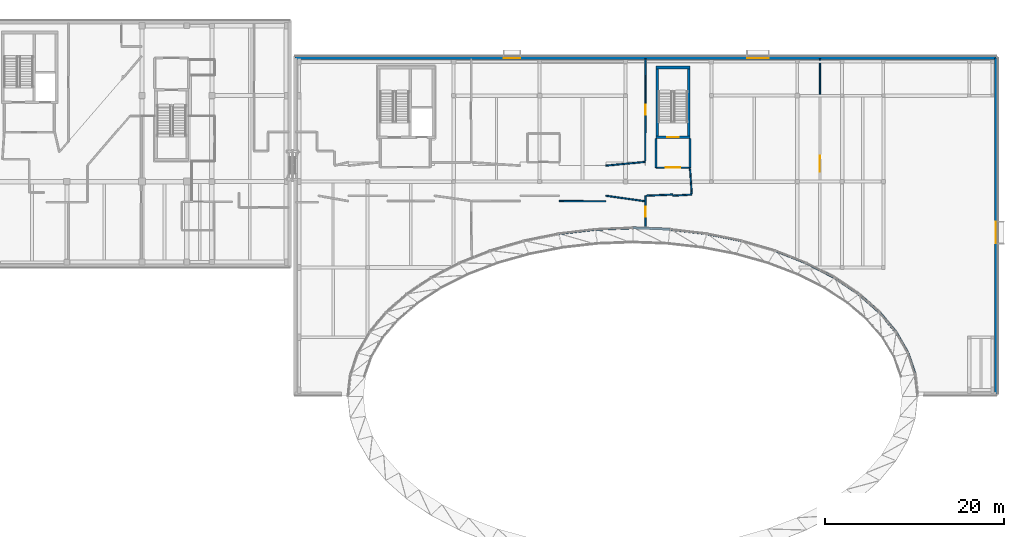
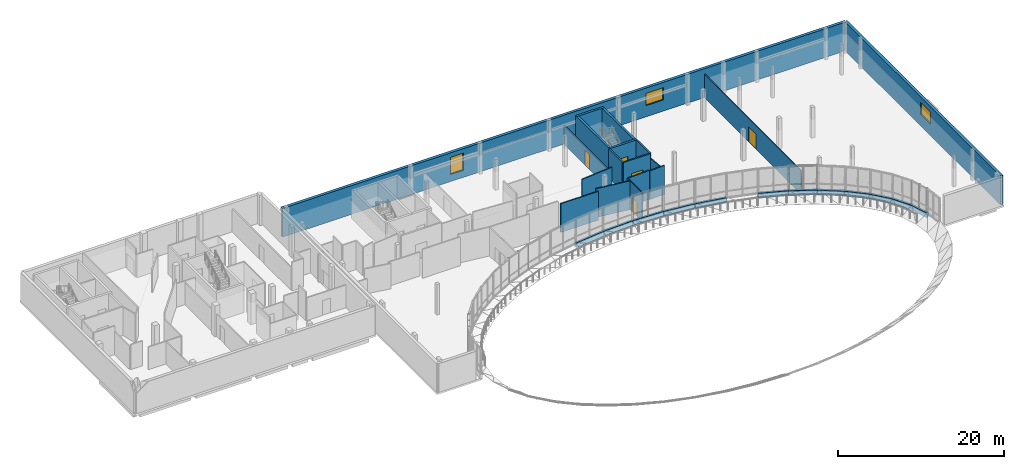
# One storey, part 28 of 41: 30 walls, 5 doors, 3 windows, 8 openings.
"""IFC4 building model written with IfcOpenShell, lengths in metres."""

from ifc_helpers import new_model, si_unit, direction, frame, frame_2d, origin, place, context, subcontext, project, spatial, rectangle, extrude, material, layer, layer_set, type_object, element, fill, save


model = new_model("IFC4")

# Units and contexts
model_context = context("Model", 3, precision=1e-05, world=origin(), true_north=direction((0.0, 1.0)))
body_context = subcontext(model_context, "Body", "Model", "MODEL_VIEW")
ifc_project = project(units=[si_unit("LENGTHUNIT", "METRE"), si_unit("AREAUNIT", "SQUARE_METRE"), si_unit("VOLUMEUNIT", "CUBIC_METRE"), si_unit("PLANEANGLEUNIT", "RADIAN"), si_unit("MASSUNIT", "GRAM", prefix="KILO")], contexts=[model_context])

# Site, building, storey
site_placement = place(None, origin())
site = spatial("IfcSite", under=ifc_project, at=site_placement, CompositionType="ELEMENT")
building_placement = place(site_placement, origin())
building = spatial("IfcBuilding", under=site, at=building_placement, Name="Mzevani Central Library", CompositionType="ELEMENT")
storey_placement = place(building_placement, frame((0.0, 0.0, 13.800048828125)))
storey = spatial("IfcBuildingStorey", under=building, at=storey_placement, Name="L03", CompositionType="ELEMENT", Elevation=13.800048828125)

# Wall
ifc_material_1 = material(Name="Concrete C35/45", Category="concrete")
ifc_layer_1 = layer(ifc_material_1, 0.199951171875, Name="Compartment Wall 200")
ifc_layer_set_1 = layer_set([ifc_layer_1], Name="Concrete C35/45")
wall_type_1 = type_object("IfcWallType", Name="Compartment Wall 200", PredefinedType="STANDARD", material=ifc_layer_set_1)
wall_1_placement = place(storey_placement, frame((86.60009765625, 104.800048828125, 0.0), z_axis=(0.0, 0.0, 1.0), x_axis=(0.0, -1.0, 0.0)))
element("IfcWall", 1, at=wall_1_placement, inside=storey, type_object=wall_type_1, Name="L03 Stair Vestibule C3B Enclosure Wall 1", PredefinedType="STANDARD", context=body_context, shape_type="SweptSolid", body=[
    extrude(rectangle(XDim=3.25, YDim=0.199951171875, at=frame_2d((1.625, 0.0))), origin(), (0.0, 0.0, 1.0), 4.219970703125),
])

# Wall, opening, door
wall_2_placement = place(storey_placement, frame((86.60009765625, 101.550048828125, 0.0), z_axis=(0.0, 0.0, 1.0), x_axis=(1.0, 0.0, 0.0)))
wall_2 = element("IfcWall", 2, at=wall_2_placement, inside=storey, type_object=wall_type_1, Name="L03 Stair Vestibule C3B Enclosure Wall 2", PredefinedType="STANDARD", context=body_context, shape_type="SweptSolid", body=[
    extrude(rectangle(XDim=3.7998046875, YDim=0.199951171875, at=frame_2d((1.89990234375, 0.0))), origin(), (0.0, 0.0, 1.0), 4.219970703125),
])
opening_1_placement = place(wall_2_placement, frame((1.10009765625, 0.0, 0.0)))
opening_1 = element("IfcOpeningElement", 3, at=opening_1_placement, cuts=wall_2, Name="Opening FD-02", PredefinedType="OPENING", context=body_context, shape_type="SweptSolid", body=[
    extrude(rectangle(XDim=1.60009765625, YDim=2.199951171875, at=frame_2d((0.800048828125, 1.10009765625))), frame((0.0, 0.10986328125, 0.0), z_axis=(0.0, -1.0, 0.0), x_axis=(1.0, 0.0, 0.0)), (0.0, 0.0, 1.0), 0.219970703125),
])
ifc_material_2 = material(Name="Fire-rated steel door assembly", Category="steel")
door_type_1 = type_object("IfcDoorType", Name="Fire Lobby Double Door 1600x2200", OperationType="NOTDEFINED", PredefinedType="DOOR", material=ifc_material_2)
door_1_placement = place(opening_1_placement, origin())
door_1 = element("IfcDoor", 4, at=door_1_placement, inside=storey, type_object=door_type_1, Name="L03 Stair Vestibule C3B Smoke-Control Door", OperationType="DOUBLE_DOOR_SINGLE_SWING", OverallHeight=2.199951171875, OverallWidth=1.60009765625, PredefinedType="DOOR", context=body_context, shape_type="SweptSolid", body=[
    extrude(rectangle(XDim=1.60009765625, YDim=2.199951171875, at=frame_2d((0.800048828125, 1.10009765625))), frame((0.0, 0.02490234375, 0.0), z_axis=(0.0, -1.0, 0.0), x_axis=(1.0, 0.0, 0.0)), (0.0, 0.0, 1.0), 0.050048828125),
])
fill(opening_1, door_1)

# Wall
wall_3_placement = place(storey_placement, frame((90.39990234375, 101.550048828125, 0.0), z_axis=(0.0, 0.0, 1.0), x_axis=(0.0, 1.0, 0.0)))
element("IfcWall", 5, at=wall_3_placement, inside=storey, type_object=wall_type_1, Name="L03 Stair Vestibule C3B Enclosure Wall 3", PredefinedType="STANDARD", context=body_context, shape_type="SweptSolid", body=[
    extrude(rectangle(XDim=3.25, YDim=0.199951171875, at=frame_2d((1.625, 0.0))), origin(), (0.0, 0.0, 1.0), 4.219970703125),
])

# Wall, opening, door
ifc_material_3 = material(Name="Concrete C40/50", Category="concrete")
ifc_layer_2 = layer(ifc_material_3, 0.300048828125, Name="Core Shear Wall 300")
ifc_layer_set_2 = layer_set([ifc_layer_2], Name="Concrete C40/50")
wall_type_2 = type_object("IfcWallType", Name="Core Shear Wall 300", PredefinedType="SHEAR", material=ifc_layer_set_2)
wall_4_placement = place(storey_placement, frame((90.39990234375, 104.949951171875, 0.0), z_axis=(0.0, 0.0, 1.0), x_axis=(-1.0, 0.0, 0.0)))
wall_4 = element("IfcWall", 6, at=wall_4_placement, inside=storey, type_object=wall_type_2, Name="L03 Core C3B Atrium East Escape Stair Shear Wall (-y)", PredefinedType="SHEAR", context=body_context, shape_type="SweptSolid", body=[
    extrude(rectangle(XDim=3.7998046875, YDim=0.300048828125, at=frame_2d((1.89990234375, 0.0))), origin(), (0.0, 0.0, 1.0), 4.219970703125),
])
opening_2_placement = place(wall_4_placement, frame((1.25, 0.0, 0.0)))
opening_2 = element("IfcOpeningElement", 7, at=opening_2_placement, cuts=wall_4, Name="Opening FD-01", PredefinedType="OPENING", context=body_context, shape_type="SweptSolid", body=[
    extrude(rectangle(XDim=1.300048828125, YDim=2.199951171875, at=frame_2d((0.64990234375, 1.10009765625))), frame((0.0, 0.16015625, 0.0), z_axis=(0.0, -1.0, 0.0), x_axis=(1.0, 0.0, 0.0)), (0.0, 0.0, 1.0), 0.320068359375),
])
door_type_2 = type_object("IfcDoorType", Name="Fire Stair Door 1300x2200", OperationType="NOTDEFINED", PredefinedType="DOOR", material=ifc_material_2)
door_2_placement = place(opening_2_placement, origin())
door_2 = element("IfcDoor", 8, at=door_2_placement, inside=storey, type_object=door_type_2, Name="L03 ST-06 Protected Exit Stair Door", OperationType="SINGLE_SWING_RIGHT", OverallHeight=2.199951171875, OverallWidth=1.300048828125, PredefinedType="DOOR", context=body_context, shape_type="SweptSolid", body=[
    extrude(rectangle(XDim=1.300048828125, YDim=2.199951171875, at=frame_2d((0.64990234375, 1.10009765625))), frame((0.0, 0.02490234375, 0.0), z_axis=(0.0, -1.0, 0.0), x_axis=(1.0, 0.0, 0.0)), (0.0, 0.0, 1.0), 0.050048828125),
])
fill(opening_2, door_2)

# Walls
wall_5_placement = place(storey_placement, frame((86.75, 104.800048828125, 0.0), z_axis=(0.0, 0.0, 1.0), x_axis=(0.0, 1.0, 0.0)))
element("IfcWall", 9, at=wall_5_placement, inside=storey, type_object=wall_type_2, Name="L03 Core C3B Atrium East Escape Stair Shear Wall (-x)", PredefinedType="SHEAR", context=body_context, shape_type="SweptSolid", body=[
    extrude(rectangle(XDim=8.099853515625, YDim=0.300048828125, at=frame_2d((4.0498046875, 0.0))), origin(), (0.0, 0.0, 1.0), 4.219970703125),
])
wall_6_placement = place(storey_placement, frame((86.60009765625, 112.75, 0.0), z_axis=(0.0, 0.0, 1.0), x_axis=(1.0, 0.0, 0.0)))
element("IfcWall", 10, at=wall_6_placement, inside=storey, type_object=wall_type_2, Name="L03 Core C3B Atrium East Escape Stair Shear Wall (+y)", PredefinedType="SHEAR", context=body_context, shape_type="SweptSolid", body=[
    extrude(rectangle(XDim=3.7998046875, YDim=0.300048828125, at=frame_2d((1.89990234375, 0.0))), origin(), (0.0, 0.0, 1.0), 4.219970703125),
])
wall_7_placement = place(storey_placement, frame((90.25, 112.89990234375, 0.0), z_axis=(0.0, 0.0, 1.0), x_axis=(0.0, -1.0, 0.0)))
element("IfcWall", 11, at=wall_7_placement, inside=storey, type_object=wall_type_2, Name="L03 Core C3B Atrium East Escape Stair Shear Wall (+x)", PredefinedType="SHEAR", context=body_context, shape_type="SweptSolid", body=[
    extrude(rectangle(XDim=8.099853515625, YDim=0.300048828125, at=frame_2d((4.0498046875, 0.0))), origin(), (0.0, 0.0, 1.0), 4.219970703125),
])
ifc_material_4 = material(Name="Precast concrete C40/50", Category="concrete")
ifc_layer_3 = layer(ifc_material_4, 0.280029296875, Name="Court Spandrel Wall 280")
ifc_layer_set_3 = layer_set([ifc_layer_3], Name="Precast concrete C40/50")
wall_type_3 = type_object("IfcWallType", Name="Court Spandrel Wall 280", PredefinedType="STANDARD", material=ifc_layer_set_3)
wall_8_placement = place(storey_placement, frame((115.548095703125, 78.455078125, 0.0), z_axis=(0.0, 0.0, 1.0), x_axis=(-0.319974314627, 0.947426217697, 0.0)))
element("IfcWall", 12, at=wall_8_placement, inside=storey, type_object=wall_type_3, Name="L03 Elliptical Court Spandrel 2", PredefinedType="STANDARD", context=body_context, shape_type="SweptSolid", body=[
    extrude(rectangle(XDim=2.520263671875, YDim=0.280029296875, at=frame_2d((1.26025390625, 0.0))), origin(), (0.0, 0.0, 1.0), 0.719970703125),
])
wall_9_placement = place(storey_placement, frame((114.739013671875, 80.8603515625, 0.0), z_axis=(0.0, 0.0, 1.0), x_axis=(-0.499317302735, 0.866419200612, 0.0)))
element("IfcWall", 13, at=wall_9_placement, inside=storey, type_object=wall_type_3, Name="L03 Elliptical Court Spandrel 3", PredefinedType="STANDARD", context=body_context, shape_type="SweptSolid", body=[
    extrude(rectangle(XDim=2.660888671875, YDim=0.280029296875, at=frame_2d((1.33056640625, 0.0))), origin(), (0.0, 0.0, 1.0), 0.719970703125),
])
wall_10_placement = place(storey_placement, frame((113.406005859375, 83.18408203125, 0.0), z_axis=(0.0, 0.0, 1.0), x_axis=(-0.64202925069, 0.766680142732, 0.0)))
element("IfcWall", 14, at=wall_10_placement, inside=storey, type_object=wall_type_3, Name="L03 Elliptical Court Spandrel 4", PredefinedType="STANDARD", context=body_context, shape_type="SweptSolid", body=[
    extrude(rectangle(XDim=2.847900390625, YDim=0.280029296875, at=frame_2d((1.423828125, 0.0))), origin(), (0.0, 0.0, 1.0), 0.719970703125),
])
wall_11_placement = place(storey_placement, frame((111.571044921875, 85.38671875, 0.0), z_axis=(0.0, 0.0, 1.0), x_axis=(-0.750170588014, 0.661244348844, 0.0)))
element("IfcWall", 15, at=wall_11_placement, inside=storey, type_object=wall_type_3, Name="L03 Elliptical Court Spandrel 5", PredefinedType="STANDARD", context=body_context, shape_type="SweptSolid", body=[
    extrude(rectangle(XDim=3.06103515625, YDim=0.280029296875, at=frame_2d((1.530517578125, 0.0))), origin(), (0.0, 0.0, 1.0), 0.719970703125),
])
wall_12_placement = place(storey_placement, frame((109.265380859375, 87.431396484375, 0.0), z_axis=(0.0, 0.0, 1.0), x_axis=(-0.830123280887, 0.557579894302, 0.0)))
element("IfcWall", 16, at=wall_12_placement, inside=storey, type_object=wall_type_3, Name="L03 Elliptical Court Spandrel 6", PredefinedType="STANDARD", context=body_context, shape_type="SweptSolid", body=[
    extrude(rectangle(XDim=3.282958984375, YDim=0.280029296875, at=frame_2d((1.6416015625, 0.0))), origin(), (0.0, 0.0, 1.0), 0.719970703125),
])
wall_13_placement = place(storey_placement, frame((106.527099609375, 89.283447265625, 0.0), z_axis=(0.0, 0.0, 1.0), x_axis=(-0.888444407434, 0.458984242539, 0.0)))
element("IfcWall", 17, at=wall_13_placement, inside=storey, type_object=wall_type_3, Name="L03 Elliptical Court Spandrel 7", PredefinedType="STANDARD", context=body_context, shape_type="SweptSolid", body=[
    extrude(rectangle(XDim=3.497802734375, YDim=0.280029296875, at=frame_2d((1.7490234375, 0.0))), origin(), (0.0, 0.0, 1.0), 0.719970703125),
])
wall_14_placement = place(storey_placement, frame((103.40185546875, 90.91162109375, 0.0), z_axis=(0.0, 0.0, 1.0), x_axis=(-0.930531980871, 0.366210639627, 0.0)))
element("IfcWall", 18, at=wall_14_placement, inside=storey, type_object=wall_type_3, Name="L03 Elliptical Court Spandrel 8", PredefinedType="STANDARD", context=body_context, shape_type="SweptSolid", body=[
    extrude(rectangle(XDim=3.693359375, YDim=0.280029296875, at=frame_2d((1.8466796875, 0.0))), origin(), (0.0, 0.0, 1.0), 0.719970703125),
])
wall_15_placement = place(storey_placement, frame((96.20263671875, 93.385986328125, 0.0), z_axis=(0.0, 0.0, 1.0), x_axis=(-0.980585380352, 0.196092610367, 0.0)))
element("IfcWall", 19, at=wall_15_placement, inside=storey, type_object=wall_type_3, Name="L03 Elliptical Court Spandrel 10", PredefinedType="STANDARD", context=body_context, shape_type="SweptSolid", body=[
    extrude(rectangle(XDim=3.991455078125, YDim=0.280029296875, at=frame_2d((1.99560546875, 0.0))), origin(), (0.0, 0.0, 1.0), 0.719970703125),
])
wall_16_placement = place(storey_placement, frame((92.2490234375, 94.1865234375, 0.0), z_axis=(0.0, 0.0, 1.0), x_axis=(-0.993202765218, 0.116397023855, 0.0)))
element("IfcWall", 20, at=wall_16_placement, inside=storey, type_object=wall_type_3, Name="L03 Elliptical Court Spandrel 11", PredefinedType="STANDARD", context=body_context, shape_type="SweptSolid", body=[
    extrude(rectangle(XDim=4.081787109375, YDim=0.280029296875, at=frame_2d((2.041015625, 0.0))), origin(), (0.0, 0.0, 1.0), 0.719970703125),
])
for number, where, z_axis, x_axis, name in (
    (21, (88.14892578125, 94.671630859375, 0.0), (0.0, 0.0, 1.0), (-0.999253817463, 0.038623934107, 0.0), "L03 Elliptical Court Spandrel 12"),
    (22, (83.9755859375, 94.8310546875, 0.0), (0.0, 0.0, 1.0), (-0.999253817463, -0.038623934107, 0.0), "L03 Elliptical Court Spandrel 13"),
):
    element("IfcWall", number, at=place(storey_placement, frame(where, z_axis=z_axis, x_axis=x_axis)), inside=storey, type_object=wall_type_3, Name=name, PredefinedType="STANDARD", context=body_context, shape_type="SweptSolid", body=[
        extrude(rectangle(XDim=4.127685546875, YDim=0.280029296875, at=frame_2d((2.06396484375, 0.0))), origin(), (0.0, 0.0, 1.0), 0.719970703125),
    ])
wall_17_placement = place(storey_placement, frame((79.804931640625, 94.66162109375, 0.0), z_axis=(0.0, 0.0, 1.0), x_axis=(-0.993202765218, -0.116397023855, 0.0)))
element("IfcWall", 23, at=wall_17_placement, inside=storey, type_object=wall_type_3, Name="L03 Elliptical Court Spandrel 14", PredefinedType="STANDARD", context=body_context, shape_type="SweptSolid", body=[
    extrude(rectangle(XDim=4.081787109375, YDim=0.280029296875, at=frame_2d((2.041015625, 0.0))), origin(), (0.0, 0.0, 1.0), 0.719970703125),
])

# Wall, openings, windows
ifc_layer_4 = layer(ifc_material_4, 0.3798828125, Name="Exterior Thermal Concrete Wall 380")
ifc_layer_set_4 = layer_set([ifc_layer_4], Name="Precast concrete C40/50")
wall_type_4 = type_object("IfcWallType", Name="Exterior Thermal Concrete Wall 380", PredefinedType="STANDARD", material=ifc_layer_set_4)
wall_18_placement = place(storey_placement, frame((46.2900390625, 113.81005859375, 0.0), z_axis=(0.0, 0.0, 1.0), x_axis=(1.0, 0.0, 0.0)))
wall_18 = element("IfcWall", 24, at=wall_18_placement, inside=storey, type_object=wall_type_4, Name="L03 V3 Exterior Thermal Wall (64)", PredefinedType="STANDARD", context=body_context, shape_type="SweptSolid", body=[
    extrude(rectangle(XDim=78.320068359375, YDim=0.3798828125, at=frame_2d((39.16015625, 0.0))), origin(), (0.0, 0.0, 1.0), 4.219970703125),
])
opening_3_placement = place(wall_18_placement, frame((23.328857421875, 0.0, 1.050048828125)))
opening_3 = element("IfcOpeningElement", 25, at=opening_3_placement, cuts=wall_18, Name="Opening W-15", PredefinedType="OPENING", context=body_context, shape_type="SweptSolid", body=[
    extrude(rectangle(XDim=1.800048828125, YDim=2.5, at=frame_2d((0.89990234375, 1.25))), frame((0.0, 0.199951171875, 0.0), z_axis=(0.0, -1.0, 0.0), x_axis=(1.0, 0.0, 0.0)), (0.0, 0.0, 1.0), 0.39990234375),
])
opening_4_placement = place(wall_18_placement, frame((50.4912109375, 0.0, 1.64990234375)))
opening_4 = element("IfcOpeningElement", 26, at=opening_4_placement, cuts=wall_18, Name="Opening W-17", PredefinedType="OPENING", context=body_context, shape_type="SweptSolid", body=[
    extrude(rectangle(XDim=2.39990234375, YDim=1.800048828125, at=frame_2d((1.199951171875, 0.89990234375))), frame((0.0, 0.199951171875, 0.0), z_axis=(0.0, -1.0, 0.0), x_axis=(1.0, 0.0, 0.0)), (0.0, 0.0, 1.0), 0.39990234375),
])
ifc_material_5 = material(Name="Low-E triple glazing glass", Category="glass")
window_type_1 = type_object("IfcWindowType", Name="Deep Reveal Window 1800x2500", PartitioningType="SINGLE_PANEL", PredefinedType="WINDOW", material=ifc_material_5)
window_1_placement = place(opening_3_placement, origin())
window_1 = element("IfcWindow", 27, at=window_1_placement, inside=storey, type_object=window_type_1, Name="L03 V3 Deep-Reveal Window W-15 (128)", OverallHeight=2.5, OverallWidth=1.800048828125, PartitioningType="SINGLE_PANEL", PredefinedType="WINDOW", context=body_context, shape_type="SweptSolid", body=[
    extrude(rectangle(XDim=1.800048828125, YDim=2.5, at=frame_2d((0.89990234375, 1.25))), frame((0.0, 0.030029296875, 0.0), z_axis=(0.0, -1.0, 0.0), x_axis=(1.0, 0.0, 0.0)), (0.0, 0.0, 1.0), 0.06005859375),
])
fill(opening_3, window_1)
window_type_2 = type_object("IfcWindowType", Name="Reading Clerestory Window 2400x1800", PartitioningType="SINGLE_PANEL", PredefinedType="WINDOW", material=ifc_material_5)
window_2_placement = place(opening_4_placement, origin())
window_2 = element("IfcWindow", 28, at=window_2_placement, inside=storey, type_object=window_type_2, Name="L03 V3 Deep-Reveal Window W-17 (129)", OverallHeight=1.800048828125, OverallWidth=2.39990234375, PartitioningType="SINGLE_PANEL", PredefinedType="WINDOW", context=body_context, shape_type="SweptSolid", body=[
    extrude(rectangle(XDim=2.39990234375, YDim=1.800048828125, at=frame_2d((1.199951171875, 0.89990234375))), frame((0.0, 0.030029296875, 0.0), z_axis=(0.0, -1.0, 0.0), x_axis=(1.0, 0.0, 0.0)), (0.0, 0.0, 1.0), 0.06005859375),
])
fill(opening_4, window_2)

# Wall, opening, window
wall_19_placement = place(storey_placement, frame((124.610107421875, 113.81005859375, 0.0), z_axis=(0.0, 0.0, 1.0), x_axis=(0.0, -1.0, 0.0)))
wall_19 = element("IfcWall", 29, at=wall_19_placement, inside=storey, type_object=wall_type_4, Name="L03 V3 Exterior Thermal Wall (65)", PredefinedType="STANDARD", context=body_context, shape_type="SweptSolid", body=[
    extrude(rectangle(XDim=37.52001953125, YDim=0.3798828125, at=frame_2d((18.760009765625, 0.0))), origin(), (0.0, 0.0, 1.0), 4.239990234375),
])
opening_5_placement = place(wall_19_placement, frame((18.310302734375, 0.0, 1.64990234375)))
opening_5 = element("IfcOpeningElement", 30, at=opening_5_placement, cuts=wall_19, Name="Opening W-17", PredefinedType="OPENING", context=body_context, shape_type="SweptSolid", body=[
    extrude(rectangle(XDim=2.39990234375, YDim=1.800048828125, at=frame_2d((1.199951171875, 0.89990234375))), frame((0.0, 0.199951171875, 0.0), z_axis=(0.0, -1.0, 0.0), x_axis=(1.0, 0.0, 0.0)), (0.0, 0.0, 1.0), 0.39990234375),
])
window_3_placement = place(opening_5_placement, origin())
window_3 = element("IfcWindow", 31, at=window_3_placement, inside=storey, type_object=window_type_2, Name="L03 V3 Deep-Reveal Window W-17 (130)", OverallHeight=1.800048828125, OverallWidth=2.39990234375, PartitioningType="SINGLE_PANEL", PredefinedType="WINDOW", context=body_context, shape_type="SweptSolid", body=[
    extrude(rectangle(XDim=2.39990234375, YDim=1.800048828125, at=frame_2d((1.199951171875, 0.89990234375))), frame((0.0, 0.030029296875, 0.0), z_axis=(0.0, -1.0, 0.0), x_axis=(1.0, 0.0, 0.0)), (0.0, 0.0, 1.0), 0.06005859375),
])
fill(opening_5, window_3)

# Wall
ifc_material_6 = material(Name="Fire-rated gypsum board", Category="gypsum")
ifc_layer_5 = layer(ifc_material_6, 0.14990234375, Name="Partition Study 150")
ifc_layer_set_5 = layer_set([ifc_layer_5], Name="Fire-rated gypsum board")
wall_type_5 = type_object("IfcWallType", Name="Partition Study 150", PredefinedType="PARTITIONING", material=ifc_layer_set_5)
wall_20_placement = place(storey_placement, frame((85.39990234375, 102.199951171875, 0.0), z_axis=(0.0, 0.0, 1.0), x_axis=(-0.9954765855, -0.095007198261, 0.0)))
element("IfcWall", 32, at=wall_20_placement, inside=storey, type_object=wall_type_5, Name="L03 V3 Partition IW-03 (531)", PredefinedType="PARTITIONING", context=body_context, shape_type="SweptSolid", body=[
    extrude(rectangle(XDim=4.419921875, YDim=0.14990234375, at=frame_2d((2.2099609375, 0.0))), origin(), (0.0, 0.0, 1.0), 3.550048828125),
])

# Wall, opening, door
wall_21_placement = place(storey_placement, frame((85.44970703125, 113.7099609375, 0.0), z_axis=(0.0, 0.0, 1.0), x_axis=(-0.004322202058, -0.999990659241, 0.0)))
wall_21 = element("IfcWall", 33, at=wall_21_placement, inside=storey, type_object=wall_type_5, Name="L03 V3 Partition IW-03 (533)", PredefinedType="PARTITIONING", context=body_context, shape_type="SweptSolid", body=[
    extrude(rectangle(XDim=11.409912109375, YDim=0.14990234375, at=frame_2d((5.705078125, 0.0))), origin(), (0.0, 0.0, 1.0), 2.71484375),
])
opening_6_placement = place(wall_21_placement, frame((5.155029296875, 0.0, 0.0)))
opening_6 = element("IfcOpeningElement", 34, at=opening_6_placement, cuts=wall_21, Name="Opening ID-08", PredefinedType="OPENING", context=body_context, shape_type="SweptSolid", body=[
    extrude(rectangle(XDim=1.10009765625, YDim=2.199951171875, at=frame_2d((0.550048828125, 1.10009765625))), frame((0.0, 0.0849609375, 0.0), z_axis=(0.0, -1.0, 0.0), x_axis=(1.0, 0.0, 0.0)), (0.0, 0.0, 1.0), 0.169921875),
])
ifc_material_7 = material(Name="Fire-rated solid oak leaf")
door_type_3 = type_object("IfcDoorType", Name="Seminar Room Door 1100x2200", OperationType="NOTDEFINED", PredefinedType="DOOR", material=ifc_material_7)
door_3_placement = place(opening_6_placement, origin())
door_3 = element("IfcDoor", 35, at=door_3_placement, inside=storey, type_object=door_type_3, Name="L03 Visiting Scholars Seminar Room Door", OperationType="SINGLE_SWING_LEFT", OverallHeight=2.199951171875, OverallWidth=1.10009765625, PredefinedType="DOOR", context=body_context, shape_type="SweptSolid", body=[
    extrude(rectangle(XDim=1.10009765625, YDim=2.199951171875, at=frame_2d((0.550048828125, 1.10009765625))), frame((0.0, 0.02490234375, 0.0), z_axis=(0.0, -1.0, 0.0), x_axis=(1.0, 0.0, 0.0)), (0.0, 0.0, 1.0), 0.050048828125),
])
fill(opening_6, door_3)

# Walls
wall_22_placement = place(storey_placement, frame((75.77490234375, 97.824951171875, 0.0), z_axis=(0.0, 0.0, 1.0), x_axis=(0.999988643246, -0.004765855603, 0.0)))
element("IfcWall", 36, at=wall_22_placement, inside=storey, type_object=wall_type_5, Name="L03 V3 Partition IW-03 (536)", PredefinedType="PARTITIONING", context=body_context, shape_type="SweptSolid", body=[
    extrude(rectangle(XDim=5.22509765625, YDim=0.14990234375, at=frame_2d((2.612548828125, 0.0))), origin(), (0.0, 0.0, 1.0), 4.219970703125),
])
wall_23_placement = place(storey_placement, frame((81.0, 98.419921875, 0.0), z_axis=(0.0, 0.0, 1.0), x_axis=(0.990221267466, -0.139505704034, 0.0)))
element("IfcWall", 37, at=wall_23_placement, inside=storey, type_object=wall_type_5, Name="L03 V3 Partition IW-03 (537)", PredefinedType="PARTITIONING", context=body_context, shape_type="SweptSolid", body=[
    extrude(rectangle(XDim=4.443359375, YDim=0.14990234375, at=frame_2d((2.2216796875, 0.0))), origin(), (0.0, 0.0, 1.0), 4.219970703125),
])

# Wall, opening, door
wall_24_placement = place(storey_placement, frame((85.449951171875, 98.419921875, 0.0), z_axis=(0.0, 0.0, 1.0), x_axis=(-0.001653687534, -0.999998632658, 0.0)))
wall_24 = element("IfcWall", 38, at=wall_24_placement, inside=storey, type_object=wall_type_5, Name="L03 V3 Partition IW-03 (538)", PredefinedType="PARTITIONING", context=body_context, shape_type="SweptSolid", body=[
    extrude(rectangle(XDim=3.543212890625, YDim=0.14990234375, at=frame_2d((1.771484375, 0.0))), origin(), (0.0, 0.0, 1.0), 4.219970703125),
])
opening_7_placement = place(wall_24_placement, frame((1.2216796875, 0.0, 0.0)))
opening_7 = element("IfcOpeningElement", 39, at=opening_7_placement, cuts=wall_24, Name="Opening FD-04", PredefinedType="OPENING", context=body_context, shape_type="SweptSolid", body=[
    extrude(rectangle(XDim=1.10009765625, YDim=2.14990234375, at=frame_2d((0.550048828125, 1.074951171875))), frame((0.0, 0.0849609375, 0.0), z_axis=(0.0, -1.0, 0.0), x_axis=(1.0, 0.0, 0.0)), (0.0, 0.0, 1.0), 0.169921875),
])
door_type_4 = type_object("IfcDoorType", Name="Fire Compartment Door 1100x2150", OperationType="NOTDEFINED", PredefinedType="DOOR", material=ifc_material_2)
door_4_placement = place(opening_7_placement, origin())
door_4 = element("IfcDoor", 40, at=door_4_placement, inside=storey, type_object=door_type_4, Name="L03 Social Sciences and Law Open Stacks 2 Door", OperationType="SINGLE_SWING_LEFT", OverallHeight=2.14990234375, OverallWidth=1.10009765625, PredefinedType="DOOR", context=body_context, shape_type="SweptSolid", body=[
    extrude(rectangle(XDim=1.10009765625, YDim=2.14990234375, at=frame_2d((0.550048828125, 1.074951171875))), frame((0.0, 0.02490234375, 0.0), z_axis=(0.0, -1.0, 0.0), x_axis=(1.0, 0.0, 0.0)), (0.0, 0.0, 1.0), 0.050048828125),
])
fill(opening_7, door_4)

# Walls
wall_25_placement = place(storey_placement, frame((85.5, 98.423583984375, 0.0), z_axis=(0.0, 0.0, 1.0), x_axis=(0.999112662633, 0.042117542256, 0.0)))
element("IfcWall", 41, at=wall_25_placement, inside=storey, type_object=wall_type_5, Name="L03 V3 Partition IW-03 (539)", PredefinedType="PARTITIONING", context=body_context, shape_type="SweptSolid", body=[
    extrude(rectangle(XDim=3.002685546875, YDim=0.14990234375, at=frame_2d((1.50146484375, 0.0))), origin(), (0.0, 0.0, 1.0), 4.219970703125),
])
wall_26_placement = place(storey_placement, frame((88.5, 98.419921875, 0.0), z_axis=(0.0, 0.0, 1.0), x_axis=(0.998085844608, 0.061843728804, 0.0)))
element("IfcWall", 42, at=wall_26_placement, inside=storey, type_object=wall_type_5, Name="L03 V3 Partition IW-03 (540)", PredefinedType="PARTITIONING", context=body_context, shape_type="SweptSolid", body=[
    extrude(rectangle(XDim=2.10400390625, YDim=0.14990234375, at=frame_2d((1.052001953125, 0.0))), origin(), (0.0, 0.0, 1.0), 4.219970703125),
])
wall_27_placement = place(storey_placement, frame((90.59326171875, 98.64990234375, 0.0), z_axis=(0.0, 0.0, 1.0), x_axis=(-0.066461272894, 0.997789005354, 0.0)))
element("IfcWall", 43, at=wall_27_placement, inside=storey, type_object=wall_type_5, Name="L03 V3 Partition IW-03 (541)", PredefinedType="PARTITIONING", context=body_context, shape_type="SweptSolid", body=[
    extrude(rectangle(XDim=2.806396484375, YDim=0.14990234375, at=frame_2d((1.4033203125, 0.0))), origin(), (0.0, 0.0, 1.0), 3.550048828125),
])

# Wall, opening, door
wall_28_placement = place(storey_placement, frame((104.934814453125, 113.7099609375, 0.0), z_axis=(0.0, 0.0, 1.0), x_axis=(-0.003114827793, -0.999995148912, 0.0)))
wall_28 = element("IfcWall", 44, at=wall_28_placement, inside=storey, type_object=wall_type_5, Name="L03 V3 Partition IW-03 (542)", PredefinedType="PARTITIONING", context=body_context, shape_type="SweptSolid", body=[
    extrude(rectangle(XDim=23.435546875, YDim=0.14990234375, at=frame_2d((11.7177734375, 0.0))), origin(), (0.0, 0.0, 1.0), 3.429931640625),
])
opening_8_placement = place(wall_28_placement, frame((10.81787109375, 0.0, 0.0)))
opening_8 = element("IfcOpeningElement", 45, at=opening_8_placement, cuts=wall_28, Name="Opening FD-06", PredefinedType="OPENING", context=body_context, shape_type="SweptSolid", body=[
    extrude(rectangle(XDim=1.800048828125, YDim=2.199951171875, at=frame_2d((0.89990234375, 1.10009765625))), frame((0.0, 0.0849609375, 0.0), z_axis=(0.0, -1.0, 0.0), x_axis=(1.0, 0.0, 0.0)), (0.0, 0.0, 1.0), 0.169921875),
])
door_type_5 = type_object("IfcDoorType", Name="Fire Corridor Double Door 1800x2200", OperationType="NOTDEFINED", PredefinedType="DOOR", material=ifc_material_2)
door_5_placement = place(opening_8_placement, origin())
door_5 = element("IfcDoor", 46, at=door_5_placement, inside=storey, type_object=door_type_5, Name="L03 Sunlit Court Overlook Reading Room 3 Door", OperationType="DOUBLE_DOOR_SINGLE_SWING", OverallHeight=2.199951171875, OverallWidth=1.800048828125, PredefinedType="DOOR", context=body_context, shape_type="SweptSolid", body=[
    extrude(rectangle(XDim=1.800048828125, YDim=2.199951171875, at=frame_2d((0.89990234375, 1.10009765625))), frame((0.0, 0.02490234375, 0.0), z_axis=(0.0, -1.0, 0.0), x_axis=(1.0, 0.0, 0.0)), (0.0, 0.0, 1.0), 0.050048828125),
])
fill(opening_8, door_5)

save(model, "model.ifc")
